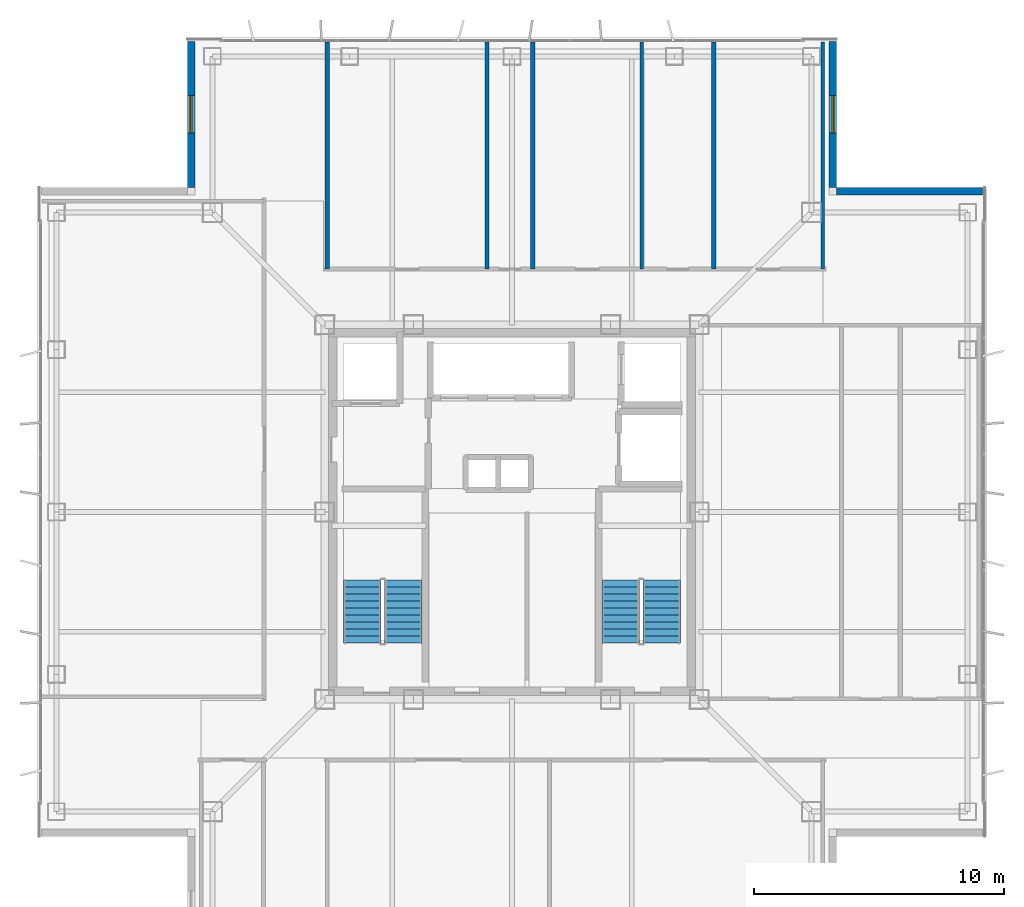
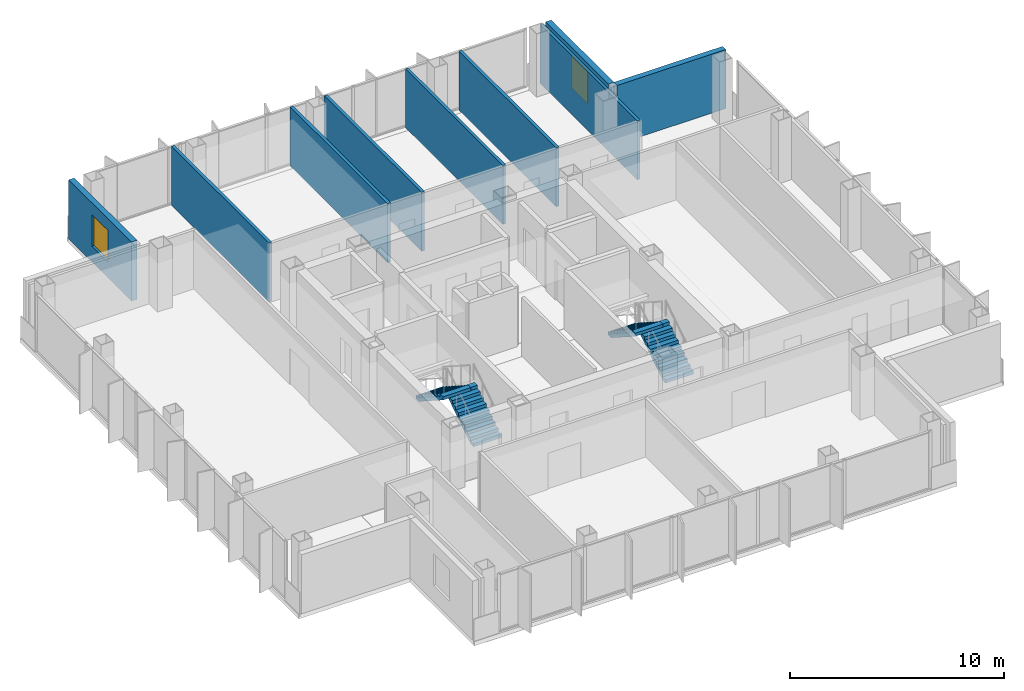
# One storey, part 9 of 15: 9 walls, 4 stair flights, 2 windows, 2 openings, 2 elements without a shape of their own.
"""IFC4 building model written with IfcOpenShell, lengths in metres."""

from ifc_helpers import new_model, si_unit, direction, frame, frame_2d, origin, place, context, subcontext, project, spatial, polyline, rectangle, outline, extrude, material, layer, layer_set, type_object, element, fill, aggregate, save


model = new_model("IFC4")

# Units and contexts
model_context = context("Model", 3, precision=1e-05, world=origin(), true_north=direction((0.0, 1.0)))
body_context = subcontext(model_context, "Body", "Model", "MODEL_VIEW")
ifc_project = project(units=[si_unit("LENGTHUNIT", "METRE"), si_unit("AREAUNIT", "SQUARE_METRE"), si_unit("VOLUMEUNIT", "CUBIC_METRE"), si_unit("PLANEANGLEUNIT", "RADIAN"), si_unit("MASSUNIT", "GRAM", prefix="KILO")], contexts=[model_context])

# Site, building, storey
site_placement = place(None, origin())
site = spatial("IfcSite", under=ifc_project, at=site_placement, CompositionType="ELEMENT")
building_placement = place(site_placement, origin())
building = spatial("IfcBuilding", under=site, at=building_placement, Name="Trevonay Congress Spire", CompositionType="ELEMENT")
storey_placement = place(building_placement, frame((0.0, 0.0, 272.0)))
storey = spatial("IfcBuildingStorey", under=building, at=storey_placement, Name="L71", CompositionType="ELEMENT", Elevation=272.0)

# Wall, opening, window
ifc_material_1 = material(Name="Precast concrete C40/50", Category="concrete")
ifc_layer_1 = layer(ifc_material_1, 0.300048828125, Name="Precast concrete C40/50")
ifc_layer_set_1 = layer_set([ifc_layer_1], Name="Precast concrete C40/50")
wall_type_1 = type_object("IfcWallType", Name="WAL-EXT-PRECAST-300", PredefinedType="SOLIDWALL", material=ifc_layer_set_1)
wall_1_placement = place(storey_placement, frame((12.85009765625, 18.85009765625, 0.0), z_axis=(0.0, 0.0, 1.0), x_axis=(0.0, -1.0, 0.0)))
wall_1 = element("IfcWall", 1, at=wall_1_placement, inside=storey, type_object=wall_type_1, Name="L71 NE re-entrant notch exterior wall 1", PredefinedType="SOLIDWALL", context=body_context, shape_type="SweptSolid", body=[
    extrude(rectangle(XDim=5.85009765625, YDim=0.300048828125, at=frame_2d((2.925048828125, 0.0))), origin(), (0.0, 0.0, 1.0), 3.360107421875),
])
opening_1_placement = place(wall_1_placement, frame((2.175048828125, 0.0, 0.89990234375)))
opening_1 = element("IfcOpeningElement", 2, at=opening_1_placement, cuts=wall_1, Name="Opening WN03", PredefinedType="OPENING", context=body_context, shape_type="SweptSolid", body=[
    extrude(rectangle(XDim=1.5, YDim=1.800048828125, at=frame_2d((0.75, 0.89990234375))), frame((0.0, 0.16015625, 0.0), z_axis=(0.0, -1.0, 0.0), x_axis=(1.0, 0.0, 0.0)), (0.0, 0.0, 1.0), 0.320068359375),
])
ifc_material_2 = material(Name="Insulated Low-E Vision Glass IGU", Category="glass")
window_type = type_object("IfcWindowType", Name="WIN-NOTCH-150X180", PartitioningType="SINGLE_PANEL", PredefinedType="WINDOW", material=ifc_material_2)
window_1_placement = place(opening_1_placement, origin())
window_1 = element("IfcWindow", 3, at=window_1_placement, inside=storey, type_object=window_type, Name="L71 NE corner notch window", OverallHeight=1.800048828125, OverallWidth=1.5, PartitioningType="SINGLE_PANEL", PredefinedType="WINDOW", context=body_context, shape_type="SweptSolid", body=[
    extrude(rectangle(XDim=1.5, YDim=1.800048828125, at=frame_2d((0.75, 0.89990234375))), frame((0.0, 0.030029296875, 0.0), z_axis=(0.0, -1.0, 0.0), x_axis=(1.0, 0.0, 0.0)), (0.0, 0.0, 1.0), 0.06005859375),
])
fill(opening_1, window_1)

# Wall
wall_2_placement = place(storey_placement, frame((18.85009765625, 12.85009765625, 0.0), z_axis=(0.0, 0.0, 1.0), x_axis=(-1.0, 0.0, 0.0)))
element("IfcWall", 4, at=wall_2_placement, inside=storey, type_object=wall_type_1, Name="L71 NE re-entrant notch exterior wall 2", PredefinedType="SOLIDWALL", context=body_context, shape_type="SweptSolid", body=[
    extrude(rectangle(XDim=5.85009765625, YDim=0.300048828125, at=frame_2d((2.925048828125, 0.0))), origin(), (0.0, 0.0, 1.0), 3.360107421875),
])

# Wall, opening, window
wall_3_placement = place(storey_placement, frame((-12.85009765625, 18.85009765625, 0.0), z_axis=(0.0, 0.0, 1.0), x_axis=(0.0, -1.0, 0.0)))
wall_3 = element("IfcWall", 5, at=wall_3_placement, inside=storey, type_object=wall_type_1, Name="L71 NW re-entrant notch exterior wall 1", PredefinedType="SOLIDWALL", context=body_context, shape_type="SweptSolid", body=[
    extrude(rectangle(XDim=5.85009765625, YDim=0.300048828125, at=frame_2d((2.925048828125, 0.0))), origin(), (0.0, 0.0, 1.0), 3.360107421875),
])
opening_2_placement = place(wall_3_placement, frame((2.175048828125, 0.0, 0.89990234375)))
opening_2 = element("IfcOpeningElement", 6, at=opening_2_placement, cuts=wall_3, Name="Opening WN03", PredefinedType="OPENING", context=body_context, shape_type="SweptSolid", body=[
    extrude(rectangle(XDim=1.5, YDim=1.800048828125, at=frame_2d((0.75, 0.89990234375))), frame((0.0, 0.16015625, 0.0), z_axis=(0.0, -1.0, 0.0), x_axis=(1.0, 0.0, 0.0)), (0.0, 0.0, 1.0), 0.320068359375),
])
window_2_placement = place(opening_2_placement, origin())
window_2 = element("IfcWindow", 7, at=window_2_placement, inside=storey, type_object=window_type, Name="L71 NW corner notch window", OverallHeight=1.800048828125, OverallWidth=1.5, PartitioningType="SINGLE_PANEL", PredefinedType="WINDOW", context=body_context, shape_type="SweptSolid", body=[
    extrude(rectangle(XDim=1.5, YDim=1.800048828125, at=frame_2d((0.75, 0.89990234375))), frame((0.0, 0.030029296875, 0.0), z_axis=(0.0, -1.0, 0.0), x_axis=(1.0, 0.0, 0.0)), (0.0, 0.0, 1.0), 0.06005859375),
])
fill(opening_2, window_2)

# Walls
ifc_material_3 = material(Name="Concrete C40/50", Category="concrete")
ifc_layer_2 = layer(ifc_material_3, 0.14990234375, Name="Concrete C40/50")
ifc_layer_set_2 = layer_set([ifc_layer_2], Name="Concrete C40/50")
wall_type_2 = type_object("IfcWallType", Name="WAL-PART-150", PredefinedType="PARTITIONING", material=ifc_layer_set_2)
for number, where, z_axis, x_axis, name in (
    (8, (5.199951171875, 9.72998046875, 0.0), (0.0, 0.0, 1.0), (0.0, 1.0, 0.0), "L71 interior wall WP-L71N-DIV3"),
    (9, (12.449951171875, 9.72998046875, 0.0), (0.0, 0.0, 1.0), (0.0, 1.0, 0.0), "L71 interior wall WP-L71N-DIV4"),
):
    element("IfcWall", number, at=place(storey_placement, frame(where, z_axis=z_axis, x_axis=x_axis)), inside=storey, type_object=wall_type_2, Name=name, PredefinedType="PARTITIONING", context=body_context, shape_type="SweptSolid", body=[
        extrude(rectangle(XDim=9.090087890625, YDim=0.14990234375, at=frame_2d((4.544921875, 0.0))), origin(), (0.0, 0.0, 1.0), 3.360107421875),
    ])
ifc_layer_3 = layer(ifc_material_3, 0.1650390625, Name="Concrete C40/50")
ifc_layer_set_3 = layer_set([ifc_layer_3], Name="Concrete C40/50")
wall_type_3 = type_object("IfcWallType", Name="WAL-WET-165", PredefinedType="PLUMBINGWALL", material=ifc_layer_set_3)
for number, where, z_axis, x_axis, name in (
    (10, (0.830078125, 9.72998046875, 0.0), (0.0, 0.0, 1.0), (0.0, 1.0, 0.0), "L71 interior wall WP-L71N-WCS2"),
    (11, (8.080078125, 9.72998046875, 0.0), (0.0, 0.0, 1.0), (0.0, 1.0, 0.0), "L71 interior wall WP-L71N-WCS3"),
    (12, (-7.39990234375, 9.72998046875, 0.0), (0.0, 0.0, 1.0), (0.0, 1.0, 0.0), "L71 interior wall WP-L71N-DIV1"),
    (13, (-1.0, 9.72998046875, 0.0), (0.0, 0.0, 1.0), (0.0, 1.0, 0.0), "L71 interior wall WP-L71N-DIV2"),
):
    element("IfcWall", number, at=place(storey_placement, frame(where, z_axis=z_axis, x_axis=x_axis)), inside=storey, type_object=wall_type_3, Name=name, PredefinedType="PLUMBINGWALL", context=body_context, shape_type="SweptSolid", body=[
        extrude(rectangle(XDim=9.090087890625, YDim=0.1650390625, at=frame_2d((4.544921875, 0.0))), origin(), (0.0, 0.0, 1.0), 3.360107421875),
    ])

# Stair, stair flights
stair_type_1 = type_object("IfcStairType", Name="STR-ST-1", PredefinedType="HALF_TURN_STAIR", material=ifc_material_3)
stair_1_placement = place(storey_placement, origin())
stair_1 = element("IfcStair", 14, at=stair_1_placement, inside=storey, type_object=stair_type_1, Name="L71 Protected Exit Stair ST-1", PredefinedType="HALF_TURN_STAIR")
stair_flight_type_1 = type_object("IfcStairFlightType", Name="SFL-ST-1", PredefinedType="STRAIGHT", material=ifc_material_3)
stair_flight_1_placement = place(storey_placement, frame((-4.35009765625, -5.25, 0.0), z_axis=(0.0, 0.0, 1.0), x_axis=(0.0, 1.0, 0.0)))
stair_flight_1 = element("IfcStairFlight", 15, at=stair_flight_1_placement, type_object=stair_flight_type_1, Name="ST-1 flight 1", NumberOfRisers=10, NumberOfTreads=9, PredefinedType="STRAIGHT", RiserHeight=0.18, TreadLength=0.28, context=body_context, shape_type="SweptSolid", body=[
    extrude(outline(polyline([(0.0, 0.0), (0.0, 0.179931640625), (0.280029296875, 0.179931640625), (0.280029296875, 0.360107421875), (0.56005859375, 0.360107421875), (0.56005859375, 0.5400390625), (0.840087890625, 0.5400390625), (0.840087890625, 0.719970703125), (1.1201171875, 0.719970703125), (1.1201171875, 0.89990234375), (1.39990234375, 0.89990234375), (1.39990234375, 1.080078125), (1.679931640625, 1.080078125), (1.679931640625, 1.260009765625), (1.9599609375, 1.260009765625), (1.9599609375, 1.43994140625), (2.239990234375, 1.43994140625), (2.239990234375, 1.6201171875), (2.52001953125, 1.6201171875), (2.52001953125, 1.800048828125), (2.52001953125, 1.44189453125), (0.277099609375, 0.0), (0.0, 0.0)])), frame((0.0, 0.75, 0.0), z_axis=(0.0, -1.0, 0.0), x_axis=(1.0, 0.0, 0.0)), (0.0, 0.0, 1.0), 1.5),
])
stair_flight_2_placement = place(storey_placement, frame((-6.0, -2.72998046875, 1.800048828125), z_axis=(0.0, 0.0, 1.0), x_axis=(0.0, -1.0, 0.0)))
stair_flight_2 = element("IfcStairFlight", 16, at=stair_flight_2_placement, type_object=stair_flight_type_1, Name="ST-1 flight 2", NumberOfRisers=10, NumberOfTreads=9, PredefinedType="STRAIGHT", RiserHeight=0.18, TreadLength=0.28, context=body_context, shape_type="SweptSolid", body=[
    extrude(outline(polyline([(0.0, 0.0), (0.0, 0.179931640625), (0.280029296875, 0.179931640625), (0.280029296875, 0.360107421875), (0.56005859375, 0.360107421875), (0.56005859375, 0.5400390625), (0.840087890625, 0.5400390625), (0.840087890625, 0.719970703125), (1.1201171875, 0.719970703125), (1.1201171875, 0.89990234375), (1.39990234375, 0.89990234375), (1.39990234375, 1.080078125), (1.679931640625, 1.080078125), (1.679931640625, 1.260009765625), (1.9599609375, 1.260009765625), (1.9599609375, 1.43994140625), (2.239990234375, 1.43994140625), (2.239990234375, 1.6201171875), (2.52001953125, 1.6201171875), (2.52001953125, 1.800048828125), (2.52001953125, 1.44189453125), (0.277099609375, 0.0), (0.0, 0.0)])), frame((0.0, 0.75, 0.0), z_axis=(0.0, -1.0, 0.0), x_axis=(1.0, 0.0, 0.0)), (0.0, 0.0, 1.0), 1.5),
])
aggregate(stair_1, [stair_flight_1, stair_flight_2])

stair_type_2 = type_object("IfcStairType", Name="STR-ST-2", PredefinedType="HALF_TURN_STAIR", material=ifc_material_3)
stair_2_placement = place(storey_placement, origin())
stair_2 = element("IfcStair", 17, at=stair_2_placement, inside=storey, type_object=stair_type_2, Name="L71 Protected Exit Stair ST-2", PredefinedType="HALF_TURN_STAIR")
stair_flight_type_2 = type_object("IfcStairFlightType", Name="SFL-ST-2", PredefinedType="STRAIGHT", material=ifc_material_3)
stair_flight_3_placement = place(storey_placement, frame((6.0, -5.25, 0.0), z_axis=(0.0, 0.0, 1.0), x_axis=(0.0, 1.0, 0.0)))
stair_flight_3 = element("IfcStairFlight", 18, at=stair_flight_3_placement, type_object=stair_flight_type_2, Name="ST-2 flight 1", NumberOfRisers=10, NumberOfTreads=9, PredefinedType="STRAIGHT", RiserHeight=0.18, TreadLength=0.28, context=body_context, shape_type="SweptSolid", body=[
    extrude(outline(polyline([(0.0, 0.0), (0.0, 0.179931640625), (0.280029296875, 0.179931640625), (0.280029296875, 0.360107421875), (0.56005859375, 0.360107421875), (0.56005859375, 0.5400390625), (0.840087890625, 0.5400390625), (0.840087890625, 0.719970703125), (1.1201171875, 0.719970703125), (1.1201171875, 0.89990234375), (1.39990234375, 0.89990234375), (1.39990234375, 1.080078125), (1.679931640625, 1.080078125), (1.679931640625, 1.260009765625), (1.9599609375, 1.260009765625), (1.9599609375, 1.43994140625), (2.239990234375, 1.43994140625), (2.239990234375, 1.6201171875), (2.52001953125, 1.6201171875), (2.52001953125, 1.800048828125), (2.52001953125, 1.44189453125), (0.277099609375, 0.0), (0.0, 0.0)])), frame((0.0, 0.75, 0.0), z_axis=(0.0, -1.0, 0.0), x_axis=(1.0, 0.0, 0.0)), (0.0, 0.0, 1.0), 1.5),
])
stair_flight_4_placement = place(storey_placement, frame((4.35009765625, -2.72998046875, 1.800048828125), z_axis=(0.0, 0.0, 1.0), x_axis=(0.0, -1.0, 0.0)))
stair_flight_4 = element("IfcStairFlight", 19, at=stair_flight_4_placement, type_object=stair_flight_type_2, Name="ST-2 flight 2", NumberOfRisers=10, NumberOfTreads=9, PredefinedType="STRAIGHT", RiserHeight=0.18, TreadLength=0.28, context=body_context, shape_type="SweptSolid", body=[
    extrude(outline(polyline([(0.0, 0.0), (0.0, 0.179931640625), (0.280029296875, 0.179931640625), (0.280029296875, 0.360107421875), (0.56005859375, 0.360107421875), (0.56005859375, 0.5400390625), (0.840087890625, 0.5400390625), (0.840087890625, 0.719970703125), (1.1201171875, 0.719970703125), (1.1201171875, 0.89990234375), (1.39990234375, 0.89990234375), (1.39990234375, 1.080078125), (1.679931640625, 1.080078125), (1.679931640625, 1.260009765625), (1.9599609375, 1.260009765625), (1.9599609375, 1.43994140625), (2.239990234375, 1.43994140625), (2.239990234375, 1.6201171875), (2.52001953125, 1.6201171875), (2.52001953125, 1.800048828125), (2.52001953125, 1.44189453125), (0.277099609375, 0.0), (0.0, 0.0)])), frame((0.0, 0.75, 0.0), z_axis=(0.0, -1.0, 0.0), x_axis=(1.0, 0.0, 0.0)), (0.0, 0.0, 1.0), 1.5),
])
aggregate(stair_2, [stair_flight_3, stair_flight_4])

save(model, "model.ifc")
